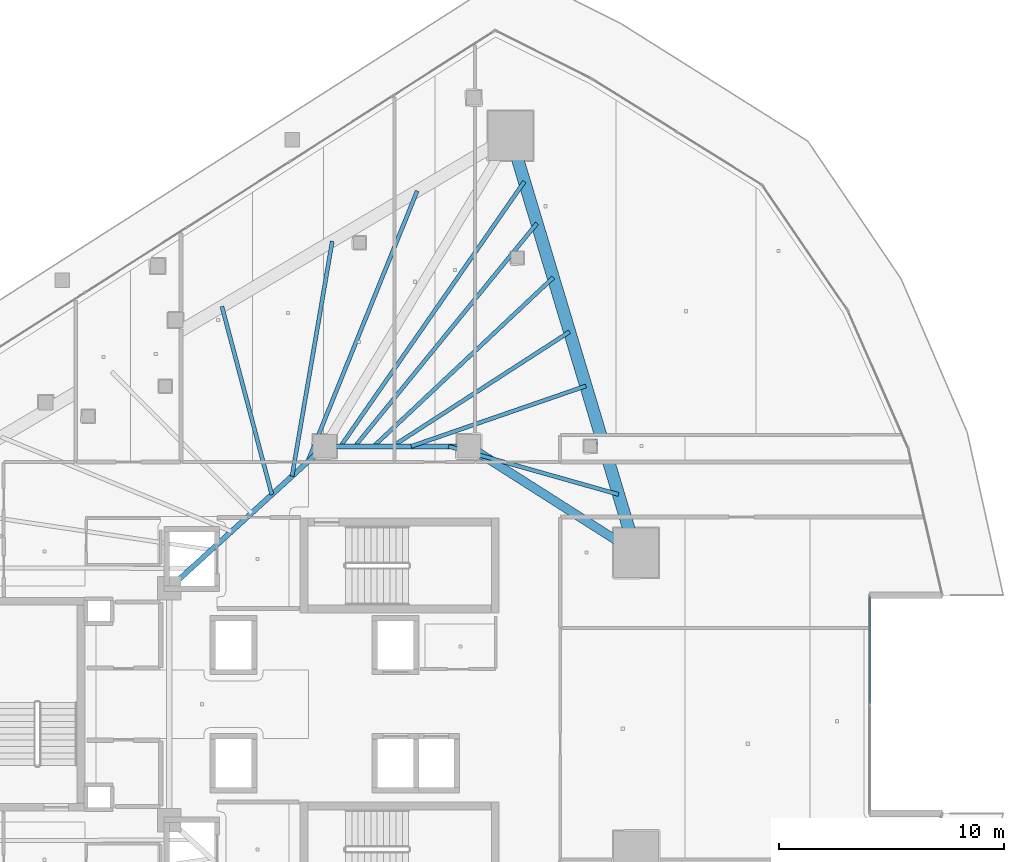
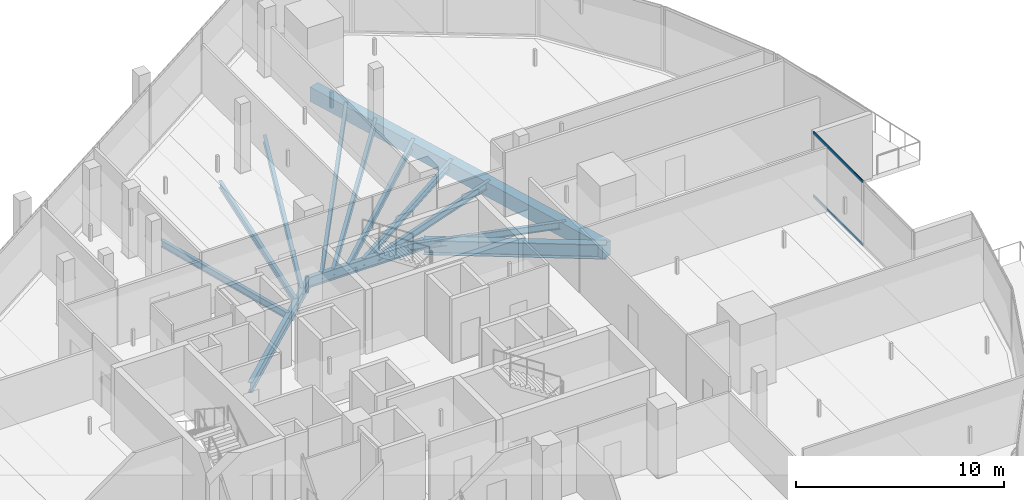
# One storey, part 18 of 38: 13 beams, 2 members, 1 element without a shape of its own.
"""IFC4 building model written with IfcOpenShell, lengths in metres."""

from ifc_helpers import new_model, si_unit, direction, frame, origin, origin_2d, place, context, subcontext, project, spatial, rectangle, hollow_rectangle, i_section, extrude, material, layer, layer_set, material_profile, profile_set, type_object, element, aggregate, save


model = new_model("IFC4")

# Units and contexts
model_context = context("Model", 3, precision=1e-05, world=origin(), true_north=direction((0.0, 1.0)))
body_context = subcontext(model_context, "Body", "Model", "MODEL_VIEW")
ifc_project = project(units=[si_unit("LENGTHUNIT", "METRE"), si_unit("AREAUNIT", "SQUARE_METRE"), si_unit("VOLUMEUNIT", "CUBIC_METRE"), si_unit("PLANEANGLEUNIT", "RADIAN"), si_unit("MASSUNIT", "GRAM", prefix="KILO")], contexts=[model_context])

# Site, building, storey
site_placement = place(None, origin())
site = spatial("IfcSite", under=ifc_project, at=site_placement, CompositionType="ELEMENT")
building_placement = place(site_placement, origin())
building = spatial("IfcBuilding", under=site, at=building_placement, Name="Qorvath Tower", CompositionType="ELEMENT")
storey_placement = place(building_placement, frame((0.0, 0.0, 146.25)))
storey = spatial("IfcBuildingStorey", under=building, at=storey_placement, Name="L33", CompositionType="ELEMENT", Elevation=146.25)

# Beams
ifc_material_1 = material(Name="Steel ASTM A992 Grade 50", Category="steel")
ifc_material_profile_1 = material_profile(ifc_material_1, i_section(OverallWidth=0.39892578125, OverallDepth=0.85498046875, WebThickness=0.018310546875, FlangeThickness=0.029296875, FilletRadius=0.02001953125, at=origin_2d()), Name="W33x201")
ifc_profile_set_1 = profile_set([ifc_material_profile_1], Name="Steel ASTM A992 Grade 50")
beam_type_1 = type_object("IfcBeamType", Name="BM-FG2", PredefinedType="BEAM", material=ifc_profile_set_1)
beam_1_placement = place(storey_placement, frame((-17.199951171875, 11.449951171875, -0.697509765625), z_axis=(0.843634090834, -0.536918542037, 0.0), x_axis=(0.536918542037, 0.843634090834, 0.0)))
element("IfcBeam", 1, at=beam_1_placement, inside=storey, type_object=beam_type_1, Name="Radial Floor Girder CC2-MC5 L33", PredefinedType="BEAM", context=body_context, shape_type="SweptSolid", body=[
    extrude(i_section(OverallWidth=0.39892578125, OverallDepth=0.85498046875, WebThickness=0.018310546875, FlangeThickness=0.029296875, FilletRadius=0.02001953125, at=origin_2d()), origin(), (0.0, 0.0, 1.0), 8.806884765625),
])
ifc_material_2 = material(Name="Steel ASTM A992 Grade 50", Category="steel")
ifc_material_profile_2 = material_profile(ifc_material_2, i_section(OverallWidth=0.22998046875, OverallDepth=0.616943359375, WebThickness=0.01318359375, FlangeThickness=0.022216796875, FilletRadius=0.014892578125, at=origin_2d()), Name="W24x94")
ifc_profile_set_2 = profile_set([ifc_material_profile_2], Name="Steel ASTM A992 Grade 50")
beam_type_2 = type_object("IfcBeamType", Name="BM-FG6", PredefinedType="BEAM", material=ifc_profile_set_2)
beam_2_placement = place(storey_placement, frame((-23.60009765625, 11.449951171875, -0.57861328125), z_axis=(1.0, 0.0, 0.0), x_axis=(0.0, 1.0, 0.0)))
element("IfcBeam", 2, at=beam_2_placement, inside=storey, type_object=beam_type_2, Name="Core Ring Girder CC1-CC2 L33", PredefinedType="BEAM", context=body_context, shape_type="SweptSolid", body=[
    extrude(i_section(OverallWidth=0.22998046875, OverallDepth=0.616943359375, WebThickness=0.01318359375, FlangeThickness=0.022216796875, FilletRadius=0.014892578125, at=origin_2d()), origin(), (0.0, 0.0, 1.0), 6.400146484375),
])
beam_3_placement = place(storey_placement, frame((-30.5, 5.14990234375, -0.57861328125), z_axis=(0.73847813985, 0.6742774184, 0.0), x_axis=(-0.6742774184, 0.73847813985, 0.0)))
element("IfcBeam", 3, at=beam_3_placement, inside=storey, type_object=beam_type_2, Name="Core Ring Girder CC5-CC1 L33", PredefinedType="BEAM", context=body_context, shape_type="SweptSolid", body=[
    extrude(i_section(OverallWidth=0.22998046875, OverallDepth=0.616943359375, WebThickness=0.01318359375, FlangeThickness=0.022216796875, FilletRadius=0.014892578125, at=origin_2d()), origin(), (0.0, 0.0, 1.0), 9.343505859375),
])
ifc_material_3 = material(Name="Steel ASTM A992 Grade 50", Category="steel")
ifc_material_profile_3 = material_profile(ifc_material_3, i_section(OverallWidth=0.177978515625, OverallDepth=0.406005859375, WebThickness=0.0078125, FlangeThickness=0.0126953125, FilletRadius=0.010986328125, at=origin_2d()), Name="W16x40")
ifc_profile_set_3 = profile_set([ifc_material_profile_3], Name="Steel ASTM A992 Grade 50")
beam_type_3 = type_object("IfcBeamType", Name="BM-FJ3", PredefinedType="JOIST", material=ifc_profile_set_3)
beam_4_placement = place(storey_placement, frame((-18.095947265625, 11.449951171875, -0.472900390625), z_axis=(0.962222206221, -0.272265359264, 0.0), x_axis=(0.272265359264, 0.962222206221, 0.0)))
element("IfcBeam", 4, at=beam_4_placement, inside=storey, type_object=beam_type_3, Name="Composite Floor Joist NE1 L33", PredefinedType="JOIST", context=body_context, shape_type="SweptSolid", body=[
    extrude(i_section(OverallWidth=0.177978515625, OverallDepth=0.406005859375, WebThickness=0.0078125, FlangeThickness=0.0126953125, FilletRadius=0.010986328125, at=origin_2d()), origin(), (0.0, 0.0, 1.0), 7.841552734375),
])
beam_5_placement = place(storey_placement, frame((-19.760009765625, 11.449951171875, -0.472900390625), z_axis=(0.945168345309, 0.326583525342, 0.0), x_axis=(-0.326583525342, 0.945168345309, 0.0)))
element("IfcBeam", 5, at=beam_5_placement, inside=storey, type_object=beam_type_3, Name="Composite Floor Joist NE3 L33", PredefinedType="JOIST", context=body_context, shape_type="SweptSolid", body=[
    extrude(i_section(OverallWidth=0.177978515625, OverallDepth=0.406005859375, WebThickness=0.0078125, FlangeThickness=0.0126953125, FilletRadius=0.010986328125, at=origin_2d()), origin(), (0.0, 0.0, 1.0), 8.21044921875),
])
beam_6_placement = place(storey_placement, frame((-20.592041015625, 11.449951171875, -0.472900390625), z_axis=(0.839630966809, 0.543157288062, 0.0), x_axis=(-0.543157288062, 0.839630966809, 0.0)))
element("IfcBeam", 6, at=beam_6_placement, inside=storey, type_object=beam_type_3, Name="Composite Floor Joist NE4 L33", PredefinedType="JOIST", context=body_context, shape_type="SweptSolid", body=[
    extrude(i_section(OverallWidth=0.177978515625, OverallDepth=0.406005859375, WebThickness=0.0078125, FlangeThickness=0.0126953125, FilletRadius=0.010986328125, at=origin_2d()), origin(), (0.0, 0.0, 1.0), 9.370361328125),
])
beam_7_placement = place(storey_placement, frame((-21.424072265625, 11.449951171875, -0.472900390625), z_axis=(0.728572459091, 0.684968737866, 0.0), x_axis=(-0.684968737866, 0.728572459091, 0.0)))
element("IfcBeam", 7, at=beam_7_placement, inside=storey, type_object=beam_type_3, Name="Composite Floor Joist NE5 L33", PredefinedType="JOIST", context=body_context, shape_type="SweptSolid", body=[
    extrude(i_section(OverallWidth=0.177978515625, OverallDepth=0.406005859375, WebThickness=0.0078125, FlangeThickness=0.0126953125, FilletRadius=0.010986328125, at=origin_2d()), origin(), (0.0, 0.0, 1.0), 10.9462890625),
])
beam_8_placement = place(storey_placement, frame((-22.256103515625, 11.449951171875, -0.472900390625), z_axis=(0.632187975212, 0.774815051478, 0.0), x_axis=(-0.774815051478, 0.632187975212, 0.0)))
element("IfcBeam", 8, at=beam_8_placement, inside=storey, type_object=beam_type_3, Name="Composite Floor Joist NE6 L33", PredefinedType="JOIST", context=body_context, shape_type="SweptSolid", body=[
    extrude(i_section(OverallWidth=0.177978515625, OverallDepth=0.406005859375, WebThickness=0.0078125, FlangeThickness=0.0126953125, FilletRadius=0.010986328125, at=origin_2d()), origin(), (0.0, 0.0, 1.0), 12.784912109375),
])
beam_9_placement = place(storey_placement, frame((-22.89599609375, 11.449951171875, -0.472900390625), z_axis=(0.570366725248, 0.821390162304, 0.0), x_axis=(-0.821390162304, 0.570366725248, 0.0)))
element("IfcBeam", 9, at=beam_9_placement, inside=storey, type_object=beam_type_3, Name="Composite Floor Joist NE7 L33", PredefinedType="JOIST", context=body_context, shape_type="SweptSolid", body=[
    extrude(i_section(OverallWidth=0.177978515625, OverallDepth=0.406005859375, WebThickness=0.0078125, FlangeThickness=0.0126953125, FilletRadius=0.010986328125, at=origin_2d()), origin(), (0.0, 0.0, 1.0), 14.3154296875),
])
beam_10_placement = place(storey_placement, frame((-25.946044921875, 9.30810546875, -0.472900390625), z_axis=(-0.256507909517, 0.966542131702, 0.0), x_axis=(-0.966542131702, -0.256507909517, 0.0)))
element("IfcBeam", 10, at=beam_10_placement, inside=storey, type_object=beam_type_3, Name="Composite Floor Joist NW5 L33", PredefinedType="JOIST", context=body_context, shape_type="SweptSolid", body=[
    extrude(i_section(OverallWidth=0.177978515625, OverallDepth=0.406005859375, WebThickness=0.0078125, FlangeThickness=0.0126953125, FilletRadius=0.010986328125, at=origin_2d()), origin(), (0.0, 0.0, 1.0), 8.64697265625),
])
beam_11_placement = place(storey_placement, frame((-25.049072265625, 10.126953125, -0.472900390625), z_axis=(0.168745594245, 0.985659639238, 0.0), x_axis=(-0.985659639238, 0.168745594245, 0.0)))
element("IfcBeam", 11, at=beam_11_placement, inside=storey, type_object=beam_type_3, Name="Composite Floor Joist NW6 L33", PredefinedType="JOIST", context=body_context, shape_type="SweptSolid", body=[
    extrude(i_section(OverallWidth=0.177978515625, OverallDepth=0.406005859375, WebThickness=0.0078125, FlangeThickness=0.0126953125, FilletRadius=0.010986328125, at=origin_2d()), origin(), (0.0, 0.0, 1.0), 10.589111328125),
])
beam_12_placement = place(storey_placement, frame((-24.35888671875, 10.757080078125, -0.472900390625), z_axis=(0.37487652097, 0.927074751045, 0.0), x_axis=(-0.927074751045, 0.37487652097, 0.0)))
element("IfcBeam", 12, at=beam_12_placement, inside=storey, type_object=beam_type_3, Name="Composite Floor Joist NW7 L33", PredefinedType="JOIST", context=body_context, shape_type="SweptSolid", body=[
    extrude(i_section(OverallWidth=0.177978515625, OverallDepth=0.406005859375, WebThickness=0.0078125, FlangeThickness=0.0126953125, FilletRadius=0.010986328125, at=origin_2d()), origin(), (0.0, 0.0, 1.0), 12.9833984375),
])
ifc_material_4 = material(Name="Concrete C50/60", Category="concrete")
ifc_material_profile_4 = material_profile(ifc_material_4, rectangle(XDim=0.550048828125, YDim=0.85009765625, at=origin_2d()), Name="RCB 850x550")
ifc_profile_set_4 = profile_set([ifc_material_profile_4], Name="Concrete C50/60")
beam_type_4 = type_object("IfcBeamType", Name="BM-RCB2", PredefinedType="SPANDREL", material=ifc_profile_set_4)
beam_13_placement = place(storey_placement, frame((-9.770263671875, 6.721435546875, -0.695068359375), z_axis=(-0.288133952099, 0.957590113591, 0.0), x_axis=(-0.957590113591, -0.288133952099, 0.0)))
element("IfcBeam", 13, at=beam_13_placement, inside=storey, type_object=beam_type_4, Name="Perimeter Loggia Frame Beam MC5-MC6 L33", PredefinedType="SPANDREL", context=body_context, shape_type="SweptSolid", body=[
    extrude(rectangle(XDim=0.550048828125, YDim=0.85009765625, at=origin_2d()), origin(), (0.0, 0.0, 1.0), 19.344970703125),
])

# Curtain wall, members
ifc_material_5 = material(Name="Anodised aluminium and triple low-E glass", Category="aluminium")
ifc_layer = layer(ifc_material_5, 0.179931640625)
ifc_layer_set = layer_set([ifc_layer], Name="CW-SYS-3")
curtain_wall_type = type_object("IfcCurtainWallType", Name="CW-SYS-3", PredefinedType="NOTDEFINED", material=ifc_layer_set)
curtain_wall_placement = place(storey_placement, origin())
curtain_wall = element("IfcCurtainWall", 14, at=curtain_wall_placement, inside=storey, type_object=curtain_wall_type, Name="Curtain Wall CW-3 CW-T-L33-9.1", PredefinedType="NOTDEFINED")
ifc_material_6 = material(Name="Anodised aluminium 6063-T6", Category="aluminium")
ifc_material_profile_5 = material_profile(ifc_material_6, hollow_rectangle(XDim=0.06494140625, YDim=0.159912109375, WallThickness=0.00341796875, InnerFilletRadius=0.00341796875, OuterFilletRadius=0.007080078125, at=origin_2d()), Name="CWT 160x65")
ifc_profile_set_5 = profile_set([ifc_material_profile_5], Name="Anodised aluminium 6063-T6")
member_type = type_object("IfcMemberType", Name="CWT-160", PredefinedType="USERDEFINED", material=ifc_profile_set_5)
member_1_placement = place(storey_placement, frame((0.6015625, 0.032470703125, 0.032470703125), z_axis=(0.0, 1.0, 0.0), x_axis=(-1.0, 0.0, 0.0)))
member_1 = element("IfcMember", 15, at=member_1_placement, type_object=member_type, Name="CW-3 transom 2.1", ObjectType="TRANSOM", PredefinedType="USERDEFINED", context=body_context, shape_type="SweptSolid", body=[
    extrude(hollow_rectangle(XDim=0.06494140625, YDim=0.159912109375, WallThickness=0.00341796875, InnerFilletRadius=0.00341796875, OuterFilletRadius=0.007080078125, at=origin_2d()), origin(), (0.0, 0.0, 1.0), 4.740966796875),
])
member_2_placement = place(storey_placement, frame((0.6015625, 0.032470703125, 3.74755859375), z_axis=(0.0, 1.0, 0.0), x_axis=(-1.0, 0.0, 0.0)))
member_2 = element("IfcMember", 16, at=member_2_placement, type_object=member_type, Name="CW-3 transom 2.2", ObjectType="TRANSOM", PredefinedType="USERDEFINED", context=body_context, shape_type="SweptSolid", body=[
    extrude(hollow_rectangle(XDim=0.06494140625, YDim=0.159912109375, WallThickness=0.00341796875, InnerFilletRadius=0.00341796875, OuterFilletRadius=0.007080078125, at=origin_2d()), origin(), (0.0, 0.0, 1.0), 4.740966796875),
])
aggregate(curtain_wall, [member_1, member_2])

save(model, "model.ifc")
